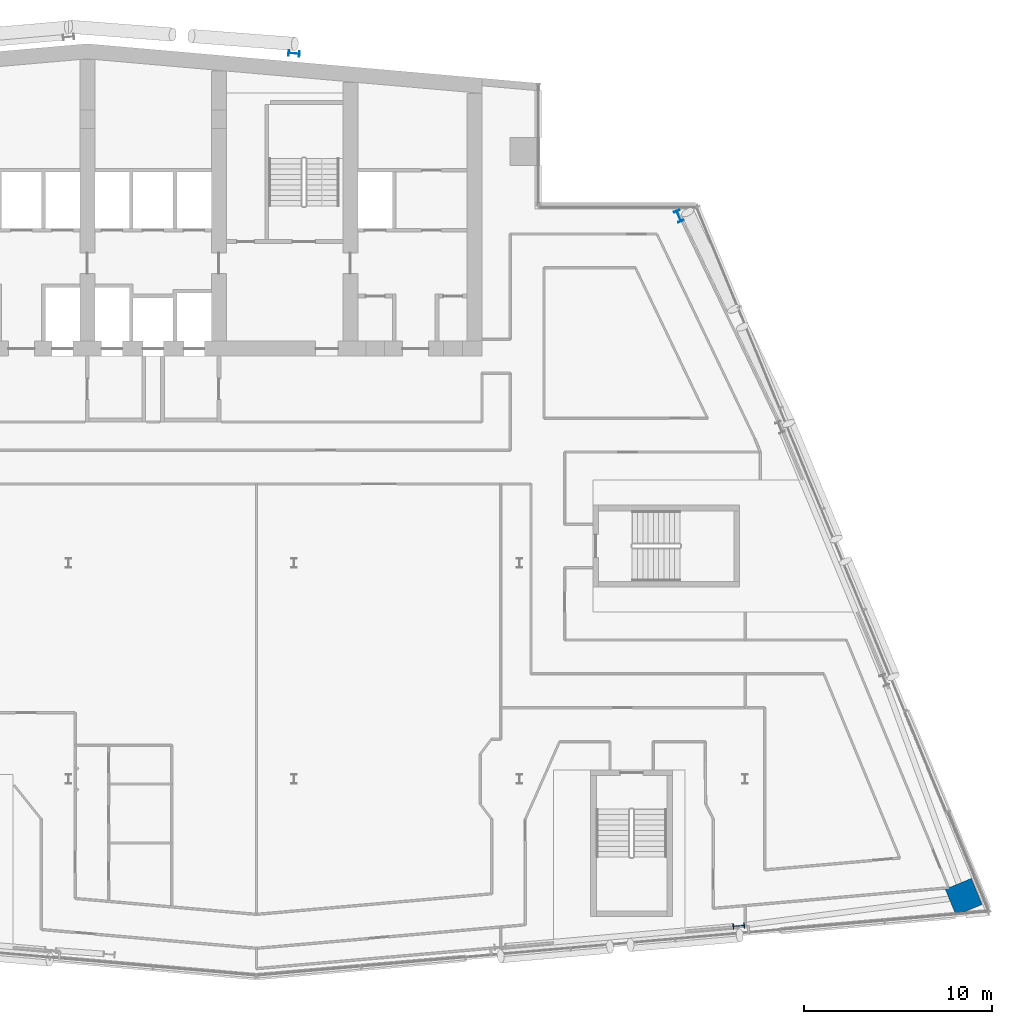
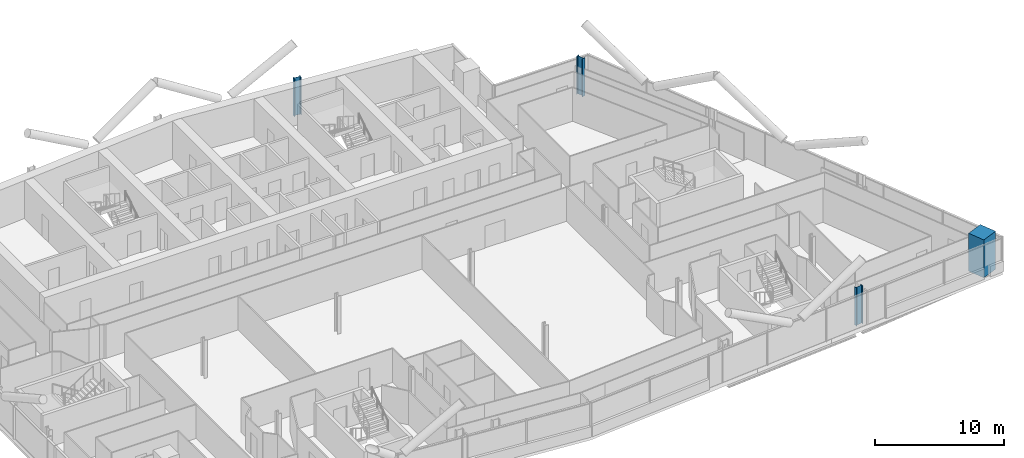
# One storey, part 4 of 28: 4 columns.
"""IFC4 building model written with IfcOpenShell, lengths in metres."""

from ifc_helpers import new_model, si_unit, direction, frame, origin, origin_2d, place, context, subcontext, project, spatial, rectangle, i_section, extrude, material, material_profile, profile_set, type_object, element, save


model = new_model("IFC4")

# Units and contexts
model_context = context("Model", 3, precision=1e-05, world=origin(), true_north=direction((0.0, 1.0)))
body_context = subcontext(model_context, "Body", "Model", "MODEL_VIEW")
ifc_project = project(units=[si_unit("LENGTHUNIT", "METRE"), si_unit("AREAUNIT", "SQUARE_METRE"), si_unit("VOLUMEUNIT", "CUBIC_METRE"), si_unit("PLANEANGLEUNIT", "RADIAN"), si_unit("MASSUNIT", "GRAM", prefix="KILO")], contexts=[model_context])

# Site, building, storey
site_placement = place(None, origin())
site = spatial("IfcSite", under=ifc_project, at=site_placement, CompositionType="ELEMENT")
building_placement = place(site_placement, origin())
building = spatial("IfcBuilding", under=site, at=building_placement, Name="Wharfspan Tower", CompositionType="ELEMENT")
storey_placement = place(building_placement, frame((0.0, 0.0, 187.899902)))
storey = spatial("IfcBuildingStorey", under=building, at=storey_placement, Name="L46", CompositionType="ELEMENT", Elevation=187.899902)

# Columns
ifc_material_1 = material(Name="Steel S355J2", Category="steel")
ifc_material_profile_1 = material_profile(ifc_material_1, i_section(OverallWidth=0.300049, OverallDepth=0.600098, WebThickness=0.015381, FlangeThickness=0.030029, FilletRadius=0.0271, at=origin_2d()))
ifc_profile_set_1 = profile_set([ifc_material_profile_1], Name="Steel S355J2")
column_type_1 = type_object("IfcColumnType", Name="Column HEB 600", PredefinedType="COLUMN", material=ifc_profile_set_1)
column_1_placement = place(storey_placement, frame((48.0, 50.112305, 0.0), z_axis=(0.0, 0.0, 1.0), x_axis=(0.087156, 0.996198, 0.0)))
element("IfcColumn", 1, at=column_1_placement, inside=storey, type_object=column_type_1, Name="Rear column R.3 L46", PredefinedType="COLUMN", context=body_context, shape_type="SweptSolid", body=[
    extrude(i_section(OverallWidth=0.300049, OverallDepth=0.600098, WebThickness=0.015381, FlangeThickness=0.030029, FilletRadius=0.0271, at=origin_2d()), origin(), (0.0, 0.0, 1.0), 3.600098),
])
ifc_material_profile_2 = material_profile(ifc_material_1, i_section(OverallWidth=0.304932, OverallDepth=0.620117, WebThickness=0.020996, FlangeThickness=0.040039, FilletRadius=0.0271, at=origin_2d()))
ifc_profile_set_2 = profile_set([ifc_material_profile_2], Name="Steel S355J2")
column_type_2 = type_object("IfcColumnType", Name="Column HEM 600", PredefinedType="COLUMN", material=ifc_profile_set_2)
for number, where, z_axis, x_axis, name in (
    (2, (71.661865, 3.684814, 0.0), (0.0, 0.0, 1.0), (0.087156, -0.996198, 0.0), "Perimeter column PS2.2 L46"),
    (3, (68.471924, 41.450439, 0.0), (0.0, 0.0, 1.0), (0.924325, 0.381602, 0.0), "Perimeter column PE.3 L46"),
):
    element("IfcColumn", number, at=place(storey_placement, frame(where, z_axis=z_axis, x_axis=x_axis)), inside=storey, type_object=column_type_2, Name=name, PredefinedType="COLUMN", context=body_context, shape_type="SweptSolid", body=[
        extrude(i_section(OverallWidth=0.304932, OverallDepth=0.620117, WebThickness=0.020996, FlangeThickness=0.040039, FilletRadius=0.0271, at=origin_2d()), origin(), (0.0, 0.0, 1.0), 3.600098),
    ])
ifc_material_2 = material(Name="Concrete C60/75", Category="concrete")
ifc_material_profile_3 = material_profile(ifc_material_2, rectangle(XDim=1.5, YDim=1.5, at=origin_2d()))
ifc_profile_set_3 = profile_set([ifc_material_profile_3], Name="Concrete C60/75")
column_type_3 = type_object("IfcColumnType", Name="Mega column 1500 C60/75", PredefinedType="COLUMN", material=ifc_profile_set_3)
column_2_placement = place(storey_placement, frame((83.632568, 5.230713, 0.0), z_axis=(0.0, 0.0, 1.0), x_axis=(-0.381602, 0.924325, 0.0)))
element("IfcColumn", 4, at=column_2_placement, inside=storey, type_object=column_type_3, Name="Mega column MC4 L46", PredefinedType="COLUMN", context=body_context, shape_type="SweptSolid", body=[
    extrude(rectangle(XDim=1.5, YDim=1.5, at=origin_2d()), origin(), (0.0, 0.0, 1.0), 3.600098),
])

save(model, "model.ifc")
